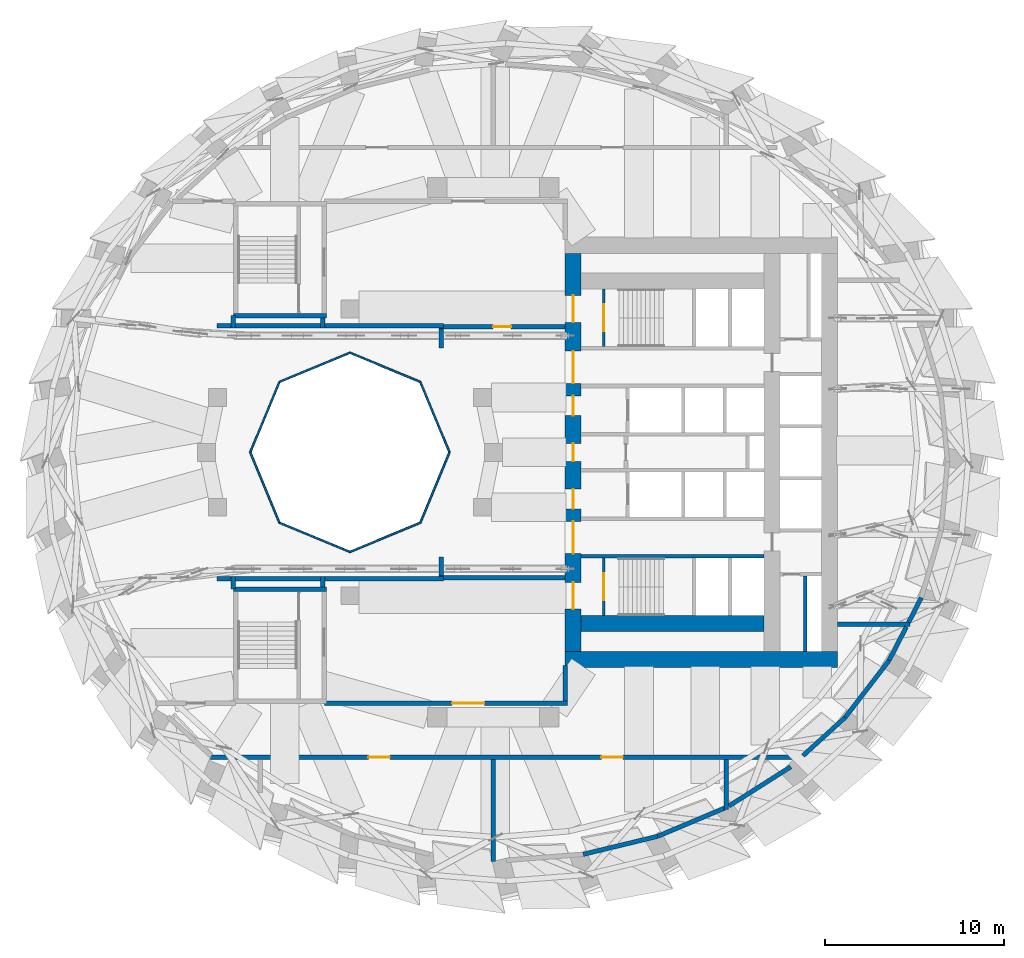
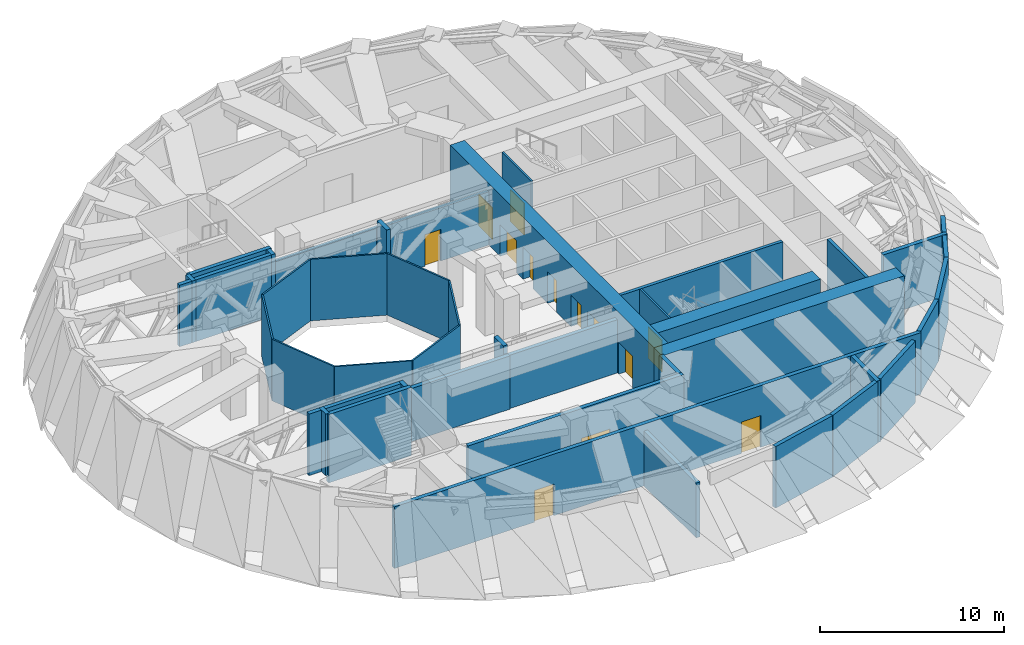
# One storey, part 7 of 14: 44 walls, 13 doors, 13 openings.
"""IFC4 building model written with IfcOpenShell, lengths in metres."""

import ifcopenshell
import ifcopenshell.guid

model = None  # the IFC model being written
_history = None  # IfcOwnerHistory: only IFC2X3 demands one
_inside = {}  # id of a spatial element -> (the spatial element, [elements in it])
_under = {}  # id of a project, library or spatial element -> (it, [spatial elements below it])
_declared = {}  # id of a project -> (the project, [libraries it declares])
_typed = {}  # id of a type object -> (the type object, [elements of that type])
_made_of = {}  # id of a material, layer set ... -> (it, [elements and type objects made of it])


def new_model(schema):
    """Start an empty IFC model of exactly this schema.

    Asked for "IFC4X3", IfcOpenShell would pick the latest addendum, in which some entities
    have other attributes; the version numbers below select the first issue.
    IFC2X3 requires an IfcOwnerHistory on every rooted entity: one is made here for all.
    """
    global model, _history
    if schema == "IFC4X3":
        model = ifcopenshell.file(schema_version=(4, 3, 0, 0))
    else:
        model = ifcopenshell.file(schema=schema)
    _inside.clear()
    _under.clear()
    _declared.clear()
    _typed.clear()
    _made_of.clear()
    _history = None
    if model.schema == "IFC2X3":
        org = make("IfcOrganization", Name="unknown")
        user = make(
            "IfcPersonAndOrganization",
            ThePerson=make("IfcPerson", FamilyName="unknown"),
            TheOrganization=org,
        )
        app = make(
            "IfcApplication",
            ApplicationDeveloper=org,
            Version="unknown",
            ApplicationFullName="unknown",
            ApplicationIdentifier="unknown",
        )
        _history = make(
            "IfcOwnerHistory",
            OwningUser=user,
            OwningApplication=app,
            ChangeAction="ADDED",
            CreationDate=0,
        )
    return model


def make(cls, **values):
    """One entity of the class cls with the attributes given. An attribute that is None is left unset."""
    return model.create_entity(
        cls, **{name: value for name, value in values.items() if value is not None}
    )


def rooted(cls, **values):
    """An entity with a GlobalId (a new one), such as an element, a storey or a relation."""
    return make(cls, GlobalId=ifcopenshell.guid.new(), OwnerHistory=_history, **values)


def si_unit(unit_type, name, prefix=None):
    """IfcSIUnit, for example si_unit("LENGTHUNIT", "METRE", prefix="MILLI")."""
    return make("IfcSIUnit", UnitType=unit_type, Prefix=prefix, Name=name)


def assignment(units):
    """IfcUnitAssignment: the units of a project."""
    return None if units is None else make("IfcUnitAssignment", Units=units)


def point(xyz):
    """IfcCartesianPoint."""
    return None if xyz is None else make("IfcCartesianPoint", Coordinates=xyz)


def direction(xyz):
    """IfcDirection."""
    return None if xyz is None else make("IfcDirection", DirectionRatios=xyz)


def frame(location, z_axis=None, x_axis=None):
    """IfcAxis2Placement3D, a coordinate frame: its origin and axes. An axis left out is left unset."""
    return make(
        "IfcAxis2Placement3D",
        Location=point(location),
        Axis=direction(z_axis),
        RefDirection=direction(x_axis),
    )


def frame_2d(location, x_axis=None):
    """IfcAxis2Placement2D, a coordinate frame in the plane: its origin and x axis."""
    return make(
        "IfcAxis2Placement2D", Location=point(location), RefDirection=direction(x_axis)
    )


def origin():
    """The frame at (0, 0, 0) with its axes left unset."""
    return frame((0.0, 0.0, 0.0))


def place(relative_to, where):
    """IfcLocalPlacement: puts the frame where relative to a parent placement (None: the world)."""
    return make(
        "IfcLocalPlacement", PlacementRelTo=relative_to, RelativePlacement=where
    )


def context(
    kind, dimensions, precision=None, world=None, true_north=None, identifier=None
):
    """IfcGeometricRepresentationContext, for example the 3D "Model" context."""
    return make(
        "IfcGeometricRepresentationContext",
        ContextIdentifier=identifier,
        ContextType=kind,
        CoordinateSpaceDimension=dimensions,
        Precision=precision,
        WorldCoordinateSystem=world,
        TrueNorth=true_north,
    )


def subcontext(parent, identifier, kind, view, scale=None):
    """IfcGeometricRepresentationSubContext, for example "Body" below "Model"."""
    return make(
        "IfcGeometricRepresentationSubContext",
        ContextIdentifier=identifier,
        ContextType=kind,
        ParentContext=parent,
        TargetScale=scale,
        TargetView=view,
    )


def project(units=None, contexts=None):
    """IfcProject with its units and contexts."""
    return rooted(
        "IfcProject",
        Name="project",
        RepresentationContexts=contexts,
        UnitsInContext=assignment(units),
    )


def spatial(cls, under=None, at=None, **own):
    """A site, building, storey or space (cls), placed at a placement, below another one or the project."""
    s = rooted(cls, ObjectPlacement=at, **own)
    if under is not None:
        _under.setdefault(under.id(), (under, []))[1].append(s)
    return s


def profile(cls, at=None, kind="AREA", **sizes):
    """A parametric profile (cls). Its sizes go by their IFC names, for example OverallWidth=200.0."""
    return make(cls, ProfileType=kind, Position=at, **sizes)


def rectangle(**sizes):
    """IfcRectangleProfileDef."""
    return profile("IfcRectangleProfileDef", **sizes)


def extrude(swept, where, along, depth):
    """IfcExtrudedAreaSolid: the profile swept, set in the frame where, extruded along a direction by depth."""
    return make(
        "IfcExtrudedAreaSolid",
        SweptArea=swept,
        Position=where,
        ExtrudedDirection=direction(along),
        Depth=depth,
    )


def shape(context_of_items, identifier, shape_type, items):
    """IfcShapeRepresentation: the items that make up one representation, for example the "Body"."""
    return make(
        "IfcShapeRepresentation",
        ContextOfItems=context_of_items,
        RepresentationIdentifier=identifier,
        RepresentationType=shape_type,
        Items=items,
    )


def material(Name=None, Category=None):
    """IfcMaterial."""
    return make("IfcMaterial", Name=Name, Category=Category)


def layer(
    of_material, thickness, ventilated=None, Name=None, Category=None, Priority=None
):
    """IfcMaterialLayer: one layer of a wall or slab, of a material (None: an air gap)."""
    return make(
        "IfcMaterialLayer",
        Material=of_material,
        LayerThickness=thickness,
        IsVentilated=ventilated,
        Name=Name,
        Category=Category,
        Priority=Priority,
    )


def layer_set(layers, Name=None):
    """IfcMaterialLayerSet."""
    return make("IfcMaterialLayerSet", MaterialLayers=layers, LayerSetName=Name)


def made_of(thing, what):
    """Note that an element or type object is made of a material, layer set ...; save() writes the relation."""
    if what is not None:
        _made_of.setdefault(what.id(), (what, []))[1].append(thing)
    return thing


def type_object(cls, material=None, **own):
    """A type object (cls), such as IfcWallType, which elements share."""
    return made_of(rooted(cls, **own), material)


def element(
    cls,
    number,
    at=None,
    inside=None,
    cuts=None,
    type_object=None,
    material=None,
    context=None,
    identifier="Body",
    shape_type=None,
    held_by="IfcProductDefinitionShape",
    body=None,
    shapes=None,
    **own,
):
    """One element of the class cls, such as IfcWall. Its Tag is "e" and its number.

    at: its placement. inside: the storey or other place that contains it. cuts: it is an
    opening in that element (IfcRelVoidsElement). A single representation is given by context,
    identifier, shape_type and body (its items); several are given by shapes. held_by: the class
    of the entity that holds the representations. save() writes the other relations.
    """
    e = rooted(cls, Tag="e%d" % number, ObjectPlacement=at, **own)
    if body is not None:
        shapes = [shape(context, identifier, shape_type, body)]
    if shapes is not None:
        e.Representation = make(held_by, Representations=shapes)
    if inside is not None:
        _inside.setdefault(inside.id(), (inside, []))[1].append(e)
    if cuts is not None:
        rooted(
            "IfcRelVoidsElement", RelatingBuildingElement=cuts, RelatedOpeningElement=e
        )
    if type_object is not None:
        _typed.setdefault(type_object.id(), (type_object, []))[1].append(e)
    return made_of(e, material)


def fill(opening, filler):
    """IfcRelFillsElement: the door or window that sits in an opening."""
    return rooted(
        "IfcRelFillsElement",
        RelatingOpeningElement=opening,
        RelatedBuildingElement=filler,
    )


def aggregate(whole, parts):
    """IfcRelAggregates: a whole, such as a stair, and the parts it consists of."""
    return rooted("IfcRelAggregates", RelatingObject=whole, RelatedObjects=parts)


def save(model, path):
    """Write the relations noted so far, then the file.

    IfcRelAggregates (storeys below a building ...), IfcRelContainedInSpatialStructure (elements
    in a storey), IfcRelDefinesByType, IfcRelAssociatesMaterial and IfcRelDeclares: one each for
    every whole, place, type object, material and project.
    """
    for whole, parts in _under.values():
        aggregate(whole, parts)
    for where, things in _inside.values():
        rooted(
            "IfcRelContainedInSpatialStructure",
            RelatedElements=things,
            RelatingStructure=where,
        )
    for kind, things in _typed.values():
        rooted("IfcRelDefinesByType", RelatedObjects=things, RelatingType=kind)
    for what, things in _made_of.values():
        rooted("IfcRelAssociatesMaterial", RelatedObjects=things, RelatingMaterial=what)
    for by, libraries in _declared.values():
        rooted("IfcRelDeclares", RelatingContext=by, RelatedDefinitions=libraries)
    model.write(path)


model = new_model("IFC4")

# Units and contexts
model_context = context("Model", 3, precision=1e-05, world=origin(), true_north=direction((0.0, 1.0)))
body_context = subcontext(model_context, "Body", "Model", "MODEL_VIEW")
ifc_project = project(units=[si_unit("LENGTHUNIT", "METRE"), si_unit("AREAUNIT", "SQUARE_METRE"), si_unit("VOLUMEUNIT", "CUBIC_METRE"), si_unit("PLANEANGLEUNIT", "RADIAN"), si_unit("MASSUNIT", "GRAM", prefix="KILO")], contexts=[model_context])

# Site, building, storey
site_placement = place(None, origin())
site = spatial("IfcSite", under=ifc_project, at=site_placement, CompositionType="ELEMENT")
building_placement = place(site_placement, origin())
building = spatial("IfcBuilding", under=site, at=building_placement, Name="Taillehof Tower", CompositionType="ELEMENT")
storey_placement = place(building_placement, frame((0.0, 0.0, 135.10009765625)))
storey = spatial("IfcBuildingStorey", under=building, at=storey_placement, Name="L38", CompositionType="ELEMENT", Elevation=135.10009765625)

# Walls
ifc_material_1 = material(Name="Fire-resisting glass in steel frame", Category="steel")
ifc_layer_1 = layer(ifc_material_1, 0.10009765625)
ifc_layer_set_1 = layer_set([ifc_layer_1], Name="Atrium fire-resisting screen EI 60 100")
wall_type_1 = type_object("IfcWallType", Name="Atrium fire-resisting screen EI 60 100", PredefinedType="PARTITIONING", material=ifc_layer_set_1)
for number, where, z_axis, x_axis, name in (
    (1, (-2.44580078125, 0.0, 0.0), (0.0, 0.0, 1.0), (-0.382730523909, -0.923860025149, 0.0), "Atrium screen"),
    (2, (-4.07275390625, -3.92724609375, 0.0), (0.0, 0.0, 1.0), (-0.923860025149, -0.382730523909, 0.0), "Atrium screen"),
    (3, (-8.0, -5.55419921875, 0.0), (0.0, 0.0, 1.0), (-0.923860025149, 0.382730523909, 0.0), "Atrium screen"),
    (4, (-11.92724609375, -3.92724609375, 0.0), (0.0, 0.0, 1.0), (-0.382730523909, 0.923860025149, 0.0), "Atrium screen"),
    (5, (-13.55419921875, 0.0, 0.0), (0.0, 0.0, 1.0), (0.382730523909, 0.923860025149, 0.0), "Atrium screen"),
    (6, (-11.92724609375, 3.92724609375, 0.0), (0.0, 0.0, 1.0), (0.923860025149, 0.382730523909, 0.0), "Atrium screen"),
    (7, (-8.0, 5.55419921875, 0.0), (0.0, 0.0, 1.0), (0.923860025149, -0.382730523909, 0.0), "Atrium screen"),
    (8, (-4.07275390625, 3.92724609375, 0.0), (0.0, 0.0, 1.0), (0.382730523909, -0.923860025149, 0.0), "Atrium screen"),
):
    element("IfcWall", number, at=place(storey_placement, frame(where, z_axis=z_axis, x_axis=x_axis)), inside=storey, type_object=wall_type_1, Name=name, PredefinedType="PARTITIONING", context=body_context, shape_type="SweptSolid", body=[
        extrude(rectangle(XDim=4.2509765625, YDim=0.10009765625, at=frame_2d((2.12548828125, 0.0))), origin(), (0.0, 0.0, 1.0), 4.08984375),
    ])
ifc_material_2 = material(Name="Calcium silicate masonry", Category="masonry")
ifc_layer_2 = layer(ifc_material_2, 0.199951171875)
ifc_layer_set_2 = layer_set([ifc_layer_2], Name="Compartment wall calcium silicate 200")
wall_type_2 = type_object("IfcWallType", Name="Compartment wall calcium silicate 200", PredefinedType="PARTITIONING", material=ifc_layer_set_2)
wall_1_placement = place(storey_placement, frame((17.39990234375, -11.10009765625, 0.0), z_axis=(0.0, 0.0, 1.0), x_axis=(0.0, 1.0, 0.0)))
element("IfcWall", 9, at=wall_1_placement, inside=storey, type_object=wall_type_2, Name="Compartment wall FW", PredefinedType="PARTITIONING", context=body_context, shape_type="SweptSolid", body=[
    extrude(rectangle(XDim=4.2001953125, YDim=0.199951171875, at=frame_2d((2.10009765625, 0.0))), origin(), (0.0, 0.0, 1.0), 4.08984375),
])

# Wall, openings, doors
ifc_material_3 = material(Name="Concrete C80/95", Category="concrete")
ifc_layer_3 = layer(ifc_material_3, 0.89990234375)
ifc_layer_set_3 = layer_set([ifc_layer_3], Name="Core wall C80/95 900")
wall_type_3 = type_object("IfcWallType", Name="Core wall C80/95 900", PredefinedType="SHEAR", material=ifc_layer_set_3)
wall_2_placement = place(storey_placement, frame((4.449951171875, -11.10009765625, 0.0), z_axis=(0.0, 0.0, 1.0), x_axis=(0.0, 1.0, 0.0)))
wall_2 = element("IfcWall", 10, at=wall_2_placement, inside=storey, type_object=wall_type_3, Name="Core wall CW01", PredefinedType="SHEAR", context=body_context, shape_type="SweptSolid", body=[
    extrude(rectangle(XDim=22.2001953125, YDim=0.89990234375, at=frame_2d((11.10009765625, 0.0))), origin(), (0.0, 0.0, 1.0), 4.08984375),
])
opening_1_placement = place(wall_2_placement, frame((2.35009765625, 0.0, 0.0)))
opening_1 = element("IfcOpeningElement", 11, at=opening_1_placement, cuts=wall_2, Name="Opening D3801", PredefinedType="OPENING", context=body_context, shape_type="SweptSolid", body=[
    extrude(rectangle(XDim=1.5, YDim=2.10009765625, at=frame_2d((0.75, 1.050048828125))), frame((0.0, 0.4599609375, 0.0), z_axis=(0.0, -1.0, 0.0), x_axis=(1.0, 0.0, 0.0)), (0.0, 0.0, 1.0), 0.919921875),
])
opening_2_placement = place(wall_2_placement, frame((5.449951171875, 0.0, 0.0)))
opening_2 = element("IfcOpeningElement", 12, at=opening_2_placement, cuts=wall_2, Name="Opening D3802", PredefinedType="OPENING", context=body_context, shape_type="SweptSolid", body=[
    extrude(rectangle(XDim=1.800048828125, YDim=2.10009765625, at=frame_2d((0.89990234375, 1.050048828125))), frame((0.0, 0.4599609375, 0.0), z_axis=(0.0, -1.0, 0.0), x_axis=(1.0, 0.0, 0.0)), (0.0, 0.0, 1.0), 0.919921875),
])
opening_3_placement = place(wall_2_placement, frame((7.949951171875, 0.0, 0.0)))
opening_3 = element("IfcOpeningElement", 13, at=opening_3_placement, cuts=wall_2, Name="Opening D3803", PredefinedType="OPENING", context=body_context, shape_type="SweptSolid", body=[
    extrude(rectangle(XDim=1.10009765625, YDim=2.10009765625, at=frame_2d((0.550048828125, 1.050048828125))), frame((0.0, 0.4599609375, 0.0), z_axis=(0.0, -1.0, 0.0), x_axis=(1.0, 0.0, 0.0)), (0.0, 0.0, 1.0), 0.919921875),
])
opening_4_placement = place(wall_2_placement, frame((10.60009765625, 0.0, 0.0)))
opening_4 = element("IfcOpeningElement", 14, at=opening_4_placement, cuts=wall_2, Name="Opening D3804", PredefinedType="OPENING", context=body_context, shape_type="SweptSolid", body=[
    extrude(rectangle(XDim=1.0, YDim=2.10009765625, at=frame_2d((0.5, 1.050048828125))), frame((0.0, 0.4599609375, 0.0), z_axis=(0.0, -1.0, 0.0), x_axis=(1.0, 0.0, 0.0)), (0.0, 0.0, 1.0), 0.919921875),
])
opening_5_placement = place(wall_2_placement, frame((13.14990234375, 0.0, 0.0)))
opening_5 = element("IfcOpeningElement", 15, at=opening_5_placement, cuts=wall_2, Name="Opening D3805", PredefinedType="OPENING", context=body_context, shape_type="SweptSolid", body=[
    extrude(rectangle(XDim=1.10009765625, YDim=2.10009765625, at=frame_2d((0.550048828125, 1.050048828125))), frame((0.0, 0.4599609375, 0.0), z_axis=(0.0, -1.0, 0.0), x_axis=(1.0, 0.0, 0.0)), (0.0, 0.0, 1.0), 0.919921875),
])
opening_6_placement = place(wall_2_placement, frame((14.949951171875, 0.0, 0.0)))
opening_6 = element("IfcOpeningElement", 16, at=opening_6_placement, cuts=wall_2, Name="Opening D3806", PredefinedType="OPENING", context=body_context, shape_type="SweptSolid", body=[
    extrude(rectangle(XDim=1.800048828125, YDim=2.10009765625, at=frame_2d((0.89990234375, 1.050048828125))), frame((0.0, 0.4599609375, 0.0), z_axis=(0.0, -1.0, 0.0), x_axis=(1.0, 0.0, 0.0)), (0.0, 0.0, 1.0), 0.919921875),
])
opening_7_placement = place(wall_2_placement, frame((18.35009765625, 0.0, 0.0)))
opening_7 = element("IfcOpeningElement", 17, at=opening_7_placement, cuts=wall_2, Name="Opening D3807", PredefinedType="OPENING", context=body_context, shape_type="SweptSolid", body=[
    extrude(rectangle(XDim=1.5, YDim=2.10009765625, at=frame_2d((0.75, 1.050048828125))), frame((0.0, 0.4599609375, 0.0), z_axis=(0.0, -1.0, 0.0), x_axis=(1.0, 0.0, 0.0)), (0.0, 0.0, 1.0), 0.919921875),
])
ifc_material_4 = material(Name="Steel-faced fire door", Category="steel")
door_type_1 = type_object("IfcDoorType", Name="Firefighting lobby door 1100x2100", OperationType="SINGLE_SWING_RIGHT", PredefinedType="DOOR", material=ifc_material_4)
door_1_placement = place(opening_3_placement, origin())
door_1 = element("IfcDoor", 18, at=door_1_placement, inside=storey, type_object=door_type_1, Name="Firefighting lobby door FFL-S", OperationType="SINGLE_SWING_RIGHT", OverallHeight=2.10009765625, OverallWidth=1.10009765625, PredefinedType="DOOR", context=body_context, shape_type="SweptSolid", body=[
    extrude(rectangle(XDim=1.10009765625, YDim=2.10009765625, at=frame_2d((0.550048828125, 1.050048828125))), frame((0.0, 0.02490234375, 0.0), z_axis=(0.0, -1.0, 0.0), x_axis=(1.0, 0.0, 0.0)), (0.0, 0.0, 1.0), 0.050048828125),
])
fill(opening_3, door_1)
door_2_placement = place(opening_5_placement, origin())
door_2 = element("IfcDoor", 19, at=door_2_placement, inside=storey, type_object=door_type_1, Name="Firefighting lobby door FFL-N", OperationType="SINGLE_SWING_LEFT", OverallHeight=2.10009765625, OverallWidth=1.10009765625, PredefinedType="DOOR", context=body_context, shape_type="SweptSolid", body=[
    extrude(rectangle(XDim=1.10009765625, YDim=2.10009765625, at=frame_2d((0.550048828125, 1.050048828125))), frame((0.0, 0.02490234375, 0.0), z_axis=(0.0, -1.0, 0.0), x_axis=(1.0, 0.0, 0.0)), (0.0, 0.0, 1.0), 0.050048828125),
])
fill(opening_5, door_2)
ifc_material_5 = material(Name="Steel-faced fire door", Category="steel")
door_type_2 = type_object("IfcDoorType", Name="Lift lobby door 1800x2100", OperationType="DOUBLE_DOOR_SINGLE_SWING", PredefinedType="DOOR", material=ifc_material_5)
door_3_placement = place(opening_2_placement, origin())
door_3 = element("IfcDoor", 20, at=door_3_placement, inside=storey, type_object=door_type_2, Name="Lift lobby door LL-S", OperationType="DOUBLE_DOOR_SINGLE_SWING", OverallHeight=2.10009765625, OverallWidth=1.800048828125, PredefinedType="DOOR", context=body_context, shape_type="SweptSolid", body=[
    extrude(rectangle(XDim=1.800048828125, YDim=2.10009765625, at=frame_2d((0.89990234375, 1.050048828125))), frame((0.0, 0.02490234375, 0.0), z_axis=(0.0, -1.0, 0.0), x_axis=(1.0, 0.0, 0.0)), (0.0, 0.0, 1.0), 0.050048828125),
])
fill(opening_2, door_3)
door_4_placement = place(opening_6_placement, origin())
door_4 = element("IfcDoor", 21, at=door_4_placement, inside=storey, type_object=door_type_2, Name="Lift lobby door LL-N", OperationType="DOUBLE_DOOR_SINGLE_SWING", OverallHeight=2.10009765625, OverallWidth=1.800048828125, PredefinedType="DOOR", context=body_context, shape_type="SweptSolid", body=[
    extrude(rectangle(XDim=1.800048828125, YDim=2.10009765625, at=frame_2d((0.89990234375, 1.050048828125))), frame((0.0, 0.02490234375, 0.0), z_axis=(0.0, -1.0, 0.0), x_axis=(1.0, 0.0, 0.0)), (0.0, 0.0, 1.0), 0.050048828125),
])
fill(opening_6, door_4)
ifc_material_6 = material(Name="Steel-faced fire door", Category="steel")
door_type_3 = type_object("IfcDoorType", Name="Service door 1000x2100", OperationType="SINGLE_SWING_RIGHT", PredefinedType="DOOR", material=ifc_material_6)
door_5_placement = place(opening_4_placement, origin())
door_5 = element("IfcDoor", 22, at=door_5_placement, inside=storey, type_object=door_type_3, Name="Service door SV", OperationType="SINGLE_SWING_RIGHT", OverallHeight=2.10009765625, OverallWidth=1.0, PredefinedType="DOOR", context=body_context, shape_type="SweptSolid", body=[
    extrude(rectangle(XDim=1.0, YDim=2.10009765625, at=frame_2d((0.5, 1.050048828125))), frame((0.0, 0.02490234375, 0.0), z_axis=(0.0, -1.0, 0.0), x_axis=(1.0, 0.0, 0.0)), (0.0, 0.0, 1.0), 0.050048828125),
])
fill(opening_4, door_5)
ifc_material_7 = material(Name="Steel-faced fire door", Category="steel")
door_type_4 = type_object("IfcDoorType", Name="Stair door 1500x2100", OperationType="DOUBLE_DOOR_SINGLE_SWING", PredefinedType="DOOR", material=ifc_material_7)
door_6_placement = place(opening_1_placement, origin())
door_6 = element("IfcDoor", 23, at=door_6_placement, inside=storey, type_object=door_type_4, Name="Stair door S2", OperationType="DOUBLE_DOOR_SINGLE_SWING", OverallHeight=2.10009765625, OverallWidth=1.5, PredefinedType="DOOR", context=body_context, shape_type="SweptSolid", body=[
    extrude(rectangle(XDim=1.5, YDim=2.10009765625, at=frame_2d((0.75, 1.050048828125))), frame((0.0, 0.02490234375, 0.0), z_axis=(0.0, -1.0, 0.0), x_axis=(1.0, 0.0, 0.0)), (0.0, 0.0, 1.0), 0.050048828125),
])
fill(opening_1, door_6)
door_7_placement = place(opening_7_placement, origin())
door_7 = element("IfcDoor", 24, at=door_7_placement, inside=storey, type_object=door_type_4, Name="Stair door S1", OperationType="DOUBLE_DOOR_SINGLE_SWING", OverallHeight=2.10009765625, OverallWidth=1.5, PredefinedType="DOOR", context=body_context, shape_type="SweptSolid", body=[
    extrude(rectangle(XDim=1.5, YDim=2.10009765625, at=frame_2d((0.75, 1.050048828125))), frame((0.0, 0.02490234375, 0.0), z_axis=(0.0, -1.0, 0.0), x_axis=(1.0, 0.0, 0.0)), (0.0, 0.0, 1.0), 0.050048828125),
])
fill(opening_7, door_7)

# Walls
wall_3_placement = place(storey_placement, frame((4.0, -11.550048828125, 0.0), z_axis=(0.0, 0.0, 1.0), x_axis=(1.0, 0.0, 0.0)))
element("IfcWall", 25, at=wall_3_placement, inside=storey, type_object=wall_type_3, Name="Core wall CW04", PredefinedType="SHEAR", context=body_context, shape_type="SweptSolid", body=[
    extrude(rectangle(XDim=15.199951171875, YDim=0.89990234375, at=frame_2d((7.60009765625, 0.0))), origin(), (0.0, 0.0, 1.0), 4.08984375),
])
wall_4_placement = place(storey_placement, frame((4.89990234375, -9.550048828125, 0.0), z_axis=(0.0, 0.0, 1.0), x_axis=(1.0, 0.0, 0.0)))
element("IfcWall", 26, at=wall_4_placement, inside=storey, type_object=wall_type_3, Name="Core wall CW07", PredefinedType="SHEAR", context=body_context, shape_type="SweptSolid", body=[
    extrude(rectangle(XDim=10.2001953125, YDim=0.89990234375, at=frame_2d((5.10009765625, 0.0))), origin(), (0.0, 0.0, 1.0), 4.08984375),
])
ifc_material_8 = material(Name="Calcium silicate blockwork", Category="masonry")
ifc_layer_4 = layer(ifc_material_8, 0.25)
ifc_layer_set_4 = layer_set([ifc_layer_4], Name="Fire-resisting wall EI 120 250 mm")
wall_type_4 = type_object("IfcWallType", Name="Fire-resisting wall EI 120 250 mm", PredefinedType="PARTITIONING", material=ifc_layer_set_4)
wall_5_placement = place(storey_placement, frame((17.266845703125, -16.921875, 0.0), z_axis=(0.0, 0.0, 1.0), x_axis=(0.740778701283, 0.671749146427, 0.0)))
element("IfcWall", 27, at=wall_5_placement, inside=storey, type_object=wall_type_4, Name="Wall TRB / L38-05", PredefinedType="PARTITIONING", context=body_context, shape_type="SweptSolid", body=[
    extrude(rectangle(XDim=3.17236328125, YDim=0.25, at=frame_2d((1.586181640625, 0.0))), origin(), (0.0, 0.0, 1.0), 4.08984375),
])
wall_6_placement = place(storey_placement, frame((19.616943359375, -14.790771484375, 0.0), z_axis=(0.0, 0.0, 1.0), x_axis=(0.610891694668, 0.791714176572, 0.0)))
element("IfcWall", 28, at=wall_6_placement, inside=storey, type_object=wall_type_4, Name="Wall TRB / L38-05", PredefinedType="PARTITIONING", context=body_context, shape_type="SweptSolid", body=[
    extrude(rectangle(XDim=4.01416015625, YDim=0.25, at=frame_2d((2.007080078125, 0.0))), origin(), (0.0, 0.0, 1.0), 4.08984375),
])
wall_7_placement = place(storey_placement, frame((22.069091796875, -11.61279296875, 0.0), z_axis=(0.0, 0.0, 1.0), x_axis=(0.456718109372, 0.889611470571, 0.0)))
element("IfcWall", 29, at=wall_7_placement, inside=storey, type_object=wall_type_4, Name="Wall TRB / L38-05", PredefinedType="PARTITIONING", context=body_context, shape_type="SweptSolid", body=[
    extrude(rectangle(XDim=2.11083984375, YDim=0.25, at=frame_2d((1.055419921875, 0.0))), origin(), (0.0, 0.0, 1.0), 4.08984375),
])
wall_8_placement = place(storey_placement, frame((5.010009765625, -22.420654296875, 0.0), z_axis=(0.0, 0.0, 1.0), x_axis=(0.971989685709, 0.235023511326, 0.0)))
element("IfcWall", 30, at=wall_8_placement, inside=storey, type_object=wall_type_4, Name="Wall TRB / L38-11", PredefinedType="PARTITIONING", context=body_context, shape_type="SweptSolid", body=[
    extrude(rectangle(XDim=4.27880859375, YDim=0.25, at=frame_2d((2.139404296875, 0.0))), origin(), (0.0, 0.0, 1.0), 4.08984375),
])
wall_9_placement = place(storey_placement, frame((9.1689453125, -21.4150390625, 0.0), z_axis=(0.0, 0.0, 1.0), x_axis=(0.921403350283, 0.38860759911, 0.0)))
element("IfcWall", 31, at=wall_9_placement, inside=storey, type_object=wall_type_4, Name="Wall TRB / L38-11", PredefinedType="PARTITIONING", context=body_context, shape_type="SweptSolid", body=[
    extrude(rectangle(XDim=4.04345703125, YDim=0.25, at=frame_2d((2.021728515625, 0.0))), origin(), (0.0, 0.0, 1.0), 4.08984375),
])
wall_10_placement = place(storey_placement, frame((13.138671875, -19.725830078125, 0.0), z_axis=(0.0, 0.0, 1.0), x_axis=(0.844455808406, 0.535625230595, 0.0)))
element("IfcWall", 32, at=wall_10_placement, inside=storey, type_object=wall_type_4, Name="Wall TRB / L38-12", PredefinedType="PARTITIONING", context=body_context, shape_type="SweptSolid", body=[
    extrude(rectangle(XDim=4.0830078125, YDim=0.25, at=frame_2d((2.04150390625, 0.0))), origin(), (0.0, 0.0, 1.0), 4.08984375),
])
wall_11_placement = place(storey_placement, frame((23.158203125, -9.491455078125, 0.0), z_axis=(0.0, 0.0, 1.0), x_axis=(0.456707574183, 0.889616879159, 0.0)))
element("IfcWall", 33, at=wall_11_placement, inside=storey, type_object=wall_type_4, Name="Wall TRB / TRE", PredefinedType="PARTITIONING", context=body_context, shape_type="SweptSolid", body=[
    extrude(rectangle(XDim=1.559326171875, YDim=0.25, at=frame_2d((0.77978515625, 0.0))), origin(), (0.0, 0.0, 1.0), 4.08984375),
])

# Wall, openings, doors
wall_12_placement = place(storey_placement, frame((-15.785888671875, -17.0, 0.0), z_axis=(0.0, 0.0, 1.0), x_axis=(1.0, 0.0, 0.0)))
wall_12 = element("IfcWall", 34, at=wall_12_placement, inside=storey, type_object=wall_type_4, Name="Wall L38-05 / L38-09", PredefinedType="PARTITIONING", context=body_context, shape_type="SweptSolid", body=[
    extrude(rectangle(XDim=33.091552734375, YDim=0.25, at=frame_2d((16.5458984375, 0.0))), origin(), (0.0, 0.0, 1.0), 4.08984375),
])
opening_8_placement = place(wall_12_placement, frame((8.810791015625, 0.0, 0.0)))
opening_8 = element("IfcOpeningElement", 35, at=opening_8_placement, cuts=wall_12, Name="Opening D3841", PredefinedType="OPENING", context=body_context, shape_type="SweptSolid", body=[
    extrude(rectangle(XDim=1.199951171875, YDim=2.10009765625, at=frame_2d((0.60009765625, 1.050048828125))), frame((0.0, 0.135009765625, 0.0), z_axis=(0.0, -1.0, 0.0), x_axis=(1.0, 0.0, 0.0)), (0.0, 0.0, 1.0), 0.27001953125),
])
opening_9_placement = place(wall_12_placement, frame((21.810791015625, 0.0, 0.0)))
opening_9 = element("IfcOpeningElement", 36, at=opening_9_placement, cuts=wall_12, Name="Opening D3842", PredefinedType="OPENING", context=body_context, shape_type="SweptSolid", body=[
    extrude(rectangle(XDim=1.199951171875, YDim=2.10009765625, at=frame_2d((0.60009765625, 1.050048828125))), frame((0.0, 0.135009765625, 0.0), z_axis=(0.0, -1.0, 0.0), x_axis=(1.0, 0.0, 0.0)), (0.0, 0.0, 1.0), 0.27001953125),
])
ifc_material_9 = material(Name="Hollow metal door set")
door_type_5 = type_object("IfcDoorType", Name="Single door 1200 x 2100 FD120S", OperationType="SINGLE_SWING_LEFT", PredefinedType="DOOR", material=ifc_material_9)
door_8_placement = place(opening_8_placement, origin())
door_8 = element("IfcDoor", 37, at=door_8_placement, inside=storey, type_object=door_type_5, Name="Door D3841", OperationType="SINGLE_SWING_RIGHT", OverallHeight=2.10009765625, OverallWidth=1.199951171875, PredefinedType="DOOR", context=body_context, shape_type="SweptSolid", body=[
    extrude(rectangle(XDim=1.199951171875, YDim=2.10009765625, at=frame_2d((0.60009765625, 1.050048828125))), frame((0.0, 0.02490234375, 0.0), z_axis=(0.0, -1.0, 0.0), x_axis=(1.0, 0.0, 0.0)), (0.0, 0.0, 1.0), 0.050048828125),
])
fill(opening_8, door_8)
door_9_placement = place(opening_9_placement, origin())
door_9 = element("IfcDoor", 38, at=door_9_placement, inside=storey, type_object=door_type_5, Name="Door D3842", OperationType="SINGLE_SWING_LEFT", OverallHeight=2.10009765625, OverallWidth=1.199951171875, PredefinedType="DOOR", context=body_context, shape_type="SweptSolid", body=[
    extrude(rectangle(XDim=1.199951171875, YDim=2.10009765625, at=frame_2d((0.60009765625, 1.050048828125))), frame((0.0, 0.02490234375, 0.0), z_axis=(0.0, -1.0, 0.0), x_axis=(1.0, 0.0, 0.0)), (0.0, 0.0, 1.0), 0.050048828125),
])
fill(opening_9, door_9)

# Wall, opening, door
wall_13_placement = place(storey_placement, frame((-9.425048828125, -14.0, 0.0), z_axis=(0.0, 0.0, 1.0), x_axis=(1.0, 0.0, 0.0)))
wall_13 = element("IfcWall", 39, at=wall_13_placement, inside=storey, type_object=wall_type_4, Name="Wall L38-02 / L38-05", PredefinedType="PARTITIONING", context=body_context, shape_type="SweptSolid", body=[
    extrude(rectangle(XDim=13.550048828125, YDim=0.25, at=frame_2d((6.77490234375, 0.0))), origin(), (0.0, 0.0, 1.0), 4.08984375),
])
opening_10_placement = place(wall_13_placement, frame((7.125, 0.0, 0.0)))
opening_10 = element("IfcOpeningElement", 40, at=opening_10_placement, cuts=wall_13, Name="Opening D3844", PredefinedType="OPENING", context=body_context, shape_type="SweptSolid", body=[
    extrude(rectangle(XDim=1.800048828125, YDim=2.10009765625, at=frame_2d((0.89990234375, 1.050048828125))), frame((0.0, 0.135009765625, 0.0), z_axis=(0.0, -1.0, 0.0), x_axis=(1.0, 0.0, 0.0)), (0.0, 0.0, 1.0), 0.27001953125),
])
ifc_material_10 = material(Name="Hollow metal door set")
door_type_6 = type_object("IfcDoorType", Name="Double door 1800 x 2100 FD120S", OperationType="DOUBLE_DOOR_SINGLE_SWING", PredefinedType="DOOR", material=ifc_material_10)
door_10_placement = place(opening_10_placement, origin())
door_10 = element("IfcDoor", 41, at=door_10_placement, inside=storey, type_object=door_type_6, Name="Door D3844", OperationType="DOUBLE_DOOR_SINGLE_SWING", OverallHeight=2.10009765625, OverallWidth=1.800048828125, PredefinedType="DOOR", context=body_context, shape_type="SweptSolid", body=[
    extrude(rectangle(XDim=1.800048828125, YDim=2.10009765625, at=frame_2d((0.89990234375, 1.050048828125))), frame((0.0, 0.02490234375, 0.0), z_axis=(0.0, -1.0, 0.0), x_axis=(1.0, 0.0, 0.0)), (0.0, 0.0, 1.0), 0.050048828125),
])
fill(opening_10, door_10)

# Walls
wall_14_placement = place(storey_placement, frame((19.197998046875, -9.60009765625, 0.0), z_axis=(0.0, 0.0, 1.0), x_axis=(1.0, 0.0, 0.0)))
element("IfcWall", 42, at=wall_14_placement, inside=storey, type_object=wall_type_4, Name="Wall TRE / L38-05", PredefinedType="PARTITIONING", context=body_context, shape_type="SweptSolid", body=[
    extrude(rectangle(XDim=4.029541015625, YDim=0.25, at=frame_2d((2.0146484375, 0.0))), origin(), (0.0, 0.0, 1.0), 4.08984375),
])
wall_15_placement = place(storey_placement, frame((-15.402099609375, -7.050048828125, 0.0), z_axis=(0.0, 0.0, 1.0), x_axis=(1.0, 0.0, 0.0)))
element("IfcWall", 43, at=wall_15_placement, inside=storey, type_object=wall_type_4, Name="Wall TROT6 / L38-14", PredefinedType="PARTITIONING", context=body_context, shape_type="SweptSolid", body=[
    extrude(rectangle(XDim=0.777099609375, YDim=0.25, at=frame_2d((0.388671875, 0.0))), origin(), (0.0, 0.0, 1.0), 4.08984375),
])
wall_16_placement = place(storey_placement, frame((-14.375, -7.050048828125, 0.0), z_axis=(0.0, 0.0, 1.0), x_axis=(1.0, 0.0, 0.0)))
element("IfcWall", 44, at=wall_16_placement, inside=storey, type_object=wall_type_4, Name="Wall TROT6 / L38-15", PredefinedType="PARTITIONING", context=body_context, shape_type="SweptSolid", body=[
    extrude(rectangle(XDim=4.75, YDim=0.25, at=frame_2d((2.375, 0.0))), origin(), (0.0, 0.0, 1.0), 4.08984375),
])
wall_17_placement = place(storey_placement, frame((-9.375, -7.050048828125, 0.0), z_axis=(0.0, 0.0, 1.0), x_axis=(1.0, 0.0, 0.0)))
element("IfcWall", 45, at=wall_17_placement, inside=storey, type_object=wall_type_4, Name="Wall TROT6 / L38-02", PredefinedType="PARTITIONING", context=body_context, shape_type="SweptSolid", body=[
    extrude(rectangle(XDim=6.60009765625, YDim=0.25, at=frame_2d((3.300048828125, 0.0))), origin(), (0.0, 0.0, 1.0), 3.539794921875),
])
wall_18_placement = place(storey_placement, frame((-3.02490234375, -7.0, 0.0), z_axis=(0.0, 0.0, 1.0), x_axis=(1.0, 0.0, 0.0)))
element("IfcWall", 46, at=wall_18_placement, inside=storey, type_object=wall_type_4, Name="Wall L38-02 / L38-03", PredefinedType="PARTITIONING", context=body_context, shape_type="SweptSolid", body=[
    extrude(rectangle(XDim=7.02685546875, YDim=0.25, at=frame_2d((3.513427734375, 0.0))), origin(), (0.0, 0.0, 1.0), 3.539794921875),
])

# Wall, opening, door
wall_19_placement = place(storey_placement, frame((-3.02490234375, 7.0, 0.0), z_axis=(0.0, 0.0, 1.0), x_axis=(1.0, 0.0, 0.0)))
wall_19 = element("IfcWall", 47, at=wall_19_placement, inside=storey, type_object=wall_type_4, Name="Wall L38-01 / L38-03", PredefinedType="PARTITIONING", context=body_context, shape_type="SweptSolid", body=[
    extrude(rectangle(XDim=7.02685546875, YDim=0.25, at=frame_2d((3.513427734375, 0.0))), origin(), (0.0, 0.0, 1.0), 3.539794921875),
])
opening_11_placement = place(wall_19_placement, frame((3.012939453125, 0.0, 0.0)))
opening_11 = element("IfcOpeningElement", 48, at=opening_11_placement, cuts=wall_19, Name="Opening D3845", PredefinedType="OPENING", context=body_context, shape_type="SweptSolid", body=[
    extrude(rectangle(XDim=1.0, YDim=2.10009765625, at=frame_2d((0.5, 1.050048828125))), frame((0.0, 0.135009765625, 0.0), z_axis=(0.0, -1.0, 0.0), x_axis=(1.0, 0.0, 0.0)), (0.0, 0.0, 1.0), 0.27001953125),
])
ifc_material_11 = material(Name="Hollow metal door set")
door_type_7 = type_object("IfcDoorType", Name="Single door 1000 x 2100 FD120S", OperationType="SINGLE_SWING_LEFT", PredefinedType="DOOR", material=ifc_material_11)
door_11_placement = place(opening_11_placement, origin())
door_11 = element("IfcDoor", 49, at=door_11_placement, inside=storey, type_object=door_type_7, Name="Door D3845", OperationType="SINGLE_SWING_RIGHT", OverallHeight=2.10009765625, OverallWidth=1.0, PredefinedType="DOOR", context=body_context, shape_type="SweptSolid", body=[
    extrude(rectangle(XDim=1.0, YDim=2.10009765625, at=frame_2d((0.5, 1.050048828125))), frame((0.0, 0.02490234375, 0.0), z_axis=(0.0, -1.0, 0.0), x_axis=(1.0, 0.0, 0.0)), (0.0, 0.0, 1.0), 0.050048828125),
])
fill(opening_11, door_11)

# Walls
wall_20_placement = place(storey_placement, frame((-15.402099609375, 7.050048828125, 0.0), z_axis=(0.0, 0.0, 1.0), x_axis=(1.0, 0.0, 0.0)))
element("IfcWall", 50, at=wall_20_placement, inside=storey, type_object=wall_type_4, Name="Wall TROT5 / L38-13", PredefinedType="PARTITIONING", context=body_context, shape_type="SweptSolid", body=[
    extrude(rectangle(XDim=0.777099609375, YDim=0.25, at=frame_2d((0.388671875, 0.0))), origin(), (0.0, 0.0, 1.0), 4.08984375),
])
wall_21_placement = place(storey_placement, frame((-14.375, 7.050048828125, 0.0), z_axis=(0.0, 0.0, 1.0), x_axis=(1.0, 0.0, 0.0)))
element("IfcWall", 51, at=wall_21_placement, inside=storey, type_object=wall_type_4, Name="Wall TROT5 / L38-16", PredefinedType="PARTITIONING", context=body_context, shape_type="SweptSolid", body=[
    extrude(rectangle(XDim=4.75, YDim=0.25, at=frame_2d((2.375, 0.0))), origin(), (0.0, 0.0, 1.0), 4.08984375),
])
wall_22_placement = place(storey_placement, frame((-9.375, 7.050048828125, 0.0), z_axis=(0.0, 0.0, 1.0), x_axis=(1.0, 0.0, 0.0)))
element("IfcWall", 52, at=wall_22_placement, inside=storey, type_object=wall_type_4, Name="Wall TROT5 / L38-01", PredefinedType="PARTITIONING", context=body_context, shape_type="SweptSolid", body=[
    extrude(rectangle(XDim=6.60009765625, YDim=0.25, at=frame_2d((3.300048828125, 0.0))), origin(), (0.0, 0.0, 1.0), 3.539794921875),
])
for number, where, z_axis, x_axis, name in (
    (53, (-14.5, -7.625, 0.0), (0.0, 0.0, 1.0), (0.0, 1.0, 0.0), "Wall L38-14 / L38-15"),
    (54, (-14.5, 6.925048828125, 0.0), (0.0, 0.0, 1.0), (0.0, 1.0, 0.0), "Wall L38-13 / L38-16"),
):
    element("IfcWall", number, at=place(storey_placement, frame(where, z_axis=z_axis, x_axis=x_axis)), inside=storey, type_object=wall_type_4, Name=name, PredefinedType="PARTITIONING", context=body_context, shape_type="SweptSolid", body=[
        extrude(rectangle(XDim=0.699951171875, YDim=0.25, at=frame_2d((0.35009765625, 0.0))), origin(), (0.0, 0.0, 1.0), 4.08984375),
    ])
for number, where, z_axis, x_axis, name in (
    (55, (-9.5, -7.501953125, 0.0), (0.0, 0.0, 1.0), (0.0, 1.0, 0.0), "Wall L38-02 / L38-15"),
    (56, (-9.5, 6.925048828125, 0.0), (0.0, 0.0, 1.0), (0.0, 1.0, 0.0), "Wall L38-01 / L38-16"),
):
    element("IfcWall", number, at=place(storey_placement, frame(where, z_axis=z_axis, x_axis=x_axis)), inside=storey, type_object=wall_type_4, Name=name, PredefinedType="PARTITIONING", context=body_context, shape_type="SweptSolid", body=[
        extrude(rectangle(XDim=0.576904296875, YDim=0.25, at=frame_2d((0.28857421875, 0.0))), origin(), (0.0, 0.0, 1.0), 4.08984375),
    ])
for number, where, z_axis, x_axis, name in (
    (57, (-2.89990234375, -6.875, 0.0), (0.0, 0.0, 1.0), (0.0, 1.0, 0.0), "Wall TROT6 / L38-03"),
    (58, (-2.89990234375, 5.824951171875, 0.0), (0.0, 0.0, 1.0), (0.0, 1.0, 0.0), "Wall TROT5 / L38-03"),
):
    element("IfcWall", number, at=place(storey_placement, frame(where, z_axis=z_axis, x_axis=x_axis)), inside=storey, type_object=wall_type_4, Name=name, PredefinedType="PARTITIONING", context=body_context, shape_type="SweptSolid", body=[
        extrude(rectangle(XDim=1.050048828125, YDim=0.25, at=frame_2d((0.52490234375, 0.0))), origin(), (0.0, 0.0, 1.0), 4.08984375),
    ])
wall_23_placement = place(storey_placement, frame((0.0, -22.821044921875, 0.0), z_axis=(0.0, 0.0, 1.0), x_axis=(0.0, 1.0, 0.0)))
element("IfcWall", 59, at=wall_23_placement, inside=storey, type_object=wall_type_4, Name="Wall L38-10 / L38-11", PredefinedType="PARTITIONING", context=body_context, shape_type="SweptSolid", body=[
    extrude(rectangle(XDim=5.696044921875, YDim=0.25, at=frame_2d((2.84814453125, 0.0))), origin(), (0.0, 0.0, 1.0), 3.639892578125),
])
wall_24_placement = place(storey_placement, frame((4.0, -13.875, 0.0), z_axis=(0.0, 0.0, 1.0), x_axis=(0.0, 1.0, 0.0)))
element("IfcWall", 60, at=wall_24_placement, inside=storey, type_object=wall_type_4, Name="Wall L38-02 / L38-05", PredefinedType="PARTITIONING", context=body_context, shape_type="SweptSolid", body=[
    extrude(rectangle(XDim=2.0, YDim=0.25, at=frame_2d((1.0, 0.0))), origin(), (0.0, 0.0, 1.0), 4.08984375),
])
wall_25_placement = place(storey_placement, frame((13.0, -19.92431640625, 0.0), z_axis=(0.0, 0.0, 1.0), x_axis=(0.0, 1.0, 0.0)))
element("IfcWall", 61, at=wall_25_placement, inside=storey, type_object=wall_type_4, Name="Wall L38-11 / L38-12", PredefinedType="PARTITIONING", context=body_context, shape_type="SweptSolid", body=[
    extrude(rectangle(XDim=2.79931640625, YDim=0.25, at=frame_2d((1.399658203125, 0.0))), origin(), (0.0, 0.0, 1.0), 4.08984375),
])
ifc_material_12 = material(Name="Concrete C50/60", Category="concrete")
ifc_layer_5 = layer(ifc_material_12, 0.199951171875)
ifc_layer_set_5 = layer_set([ifc_layer_5], Name="Shaft wall C50/60 200")
wall_type_5 = type_object("IfcWallType", Name="Shaft wall C50/60 200", PredefinedType="SHEAR", material=ifc_layer_set_5)
wall_26_placement = place(storey_placement, frame((4.89990234375, -5.800048828125, 0.0), z_axis=(0.0, 0.0, 1.0), x_axis=(1.0, 0.0, 0.0)))
element("IfcWall", 62, at=wall_26_placement, inside=storey, type_object=wall_type_5, Name="Shaft wall SW", PredefinedType="SHEAR", context=body_context, shape_type="SweptSolid", body=[
    extrude(rectangle(XDim=10.2001953125, YDim=0.199951171875, at=frame_2d((5.10009765625, 0.0))), origin(), (0.0, 0.0, 1.0), 4.08984375),
])

# Wall, opening, door
ifc_material_13 = material(Name="Concrete C50/60", Category="concrete")
ifc_layer_6 = layer(ifc_material_13, 0.1201171875)
ifc_layer_set_6 = layer_set([ifc_layer_6], Name="Stair lobby wall C50/60 120")
wall_type_6 = type_object("IfcWallType", Name="Stair lobby wall C50/60 120", PredefinedType="SHEAR", material=ifc_layer_set_6)
wall_27_placement = place(storey_placement, frame((6.159912109375, 5.89990234375, 0.0), z_axis=(0.0, 0.0, 1.0), x_axis=(0.0, 1.0, 0.0)))
wall_27 = element("IfcWall", 63, at=wall_27_placement, inside=storey, type_object=wall_type_6, Name="Compartment wall SW", PredefinedType="SHEAR", context=body_context, shape_type="SweptSolid", body=[
    extrude(rectangle(XDim=3.2001953125, YDim=0.1201171875, at=frame_2d((1.60009765625, 0.0))), origin(), (0.0, 0.0, 1.0), 4.08984375),
])
opening_12_placement = place(wall_27_placement, frame((0.85009765625, 0.0, 0.0)))
opening_12 = element("IfcOpeningElement", 64, at=opening_12_placement, cuts=wall_27, Name="Opening D3808", PredefinedType="OPENING", context=body_context, shape_type="SweptSolid", body=[
    extrude(rectangle(XDim=1.5, YDim=2.10009765625, at=frame_2d((0.75, 1.050048828125))), frame((0.0, 0.070068359375, 0.0), z_axis=(0.0, -1.0, 0.0), x_axis=(1.0, 0.0, 0.0)), (0.0, 0.0, 1.0), 0.14013671875),
])
door_12_placement = place(opening_12_placement, origin())
door_12 = element("IfcDoor", 65, at=door_12_placement, inside=storey, type_object=door_type_4, Name="Stair lobby door S1", OperationType="DOUBLE_DOOR_SINGLE_SWING", OverallHeight=2.10009765625, OverallWidth=1.5, PredefinedType="DOOR", context=body_context, shape_type="SweptSolid", body=[
    extrude(rectangle(XDim=1.5, YDim=2.10009765625, at=frame_2d((0.75, 1.050048828125))), frame((0.0, 0.02490234375, 0.0), z_axis=(0.0, -1.0, 0.0), x_axis=(1.0, 0.0, 0.0)), (0.0, 0.0, 1.0), 0.050048828125),
])
fill(opening_12, door_12)

wall_28_placement = place(storey_placement, frame((6.159912109375, -9.10009765625, 0.0), z_axis=(0.0, 0.0, 1.0), x_axis=(0.0, 1.0, 0.0)))
wall_28 = element("IfcWall", 66, at=wall_28_placement, inside=storey, type_object=wall_type_6, Name="Compartment wall SW", PredefinedType="SHEAR", context=body_context, shape_type="SweptSolid", body=[
    extrude(rectangle(XDim=3.2001953125, YDim=0.1201171875, at=frame_2d((1.60009765625, 0.0))), origin(), (0.0, 0.0, 1.0), 4.08984375),
])
opening_13_placement = place(wall_28_placement, frame((0.85009765625, 0.0, 0.0)))
opening_13 = element("IfcOpeningElement", 67, at=opening_13_placement, cuts=wall_28, Name="Opening D3809", PredefinedType="OPENING", context=body_context, shape_type="SweptSolid", body=[
    extrude(rectangle(XDim=1.5, YDim=2.10009765625, at=frame_2d((0.75, 1.050048828125))), frame((0.0, 0.070068359375, 0.0), z_axis=(0.0, -1.0, 0.0), x_axis=(1.0, 0.0, 0.0)), (0.0, 0.0, 1.0), 0.14013671875),
])
door_13_placement = place(opening_13_placement, origin())
door_13 = element("IfcDoor", 68, at=door_13_placement, inside=storey, type_object=door_type_4, Name="Stair lobby door S2", OperationType="DOUBLE_DOOR_SINGLE_SWING", OverallHeight=2.10009765625, OverallWidth=1.5, PredefinedType="DOOR", context=body_context, shape_type="SweptSolid", body=[
    extrude(rectangle(XDim=1.5, YDim=2.10009765625, at=frame_2d((0.75, 1.050048828125))), frame((0.0, 0.02490234375, 0.0), z_axis=(0.0, -1.0, 0.0), x_axis=(1.0, 0.0, 0.0)), (0.0, 0.0, 1.0), 0.050048828125),
])
fill(opening_13, door_13)

# Walls
ifc_material_14 = material(Name="Concrete C50/60", Category="concrete")
ifc_layer_7 = layer(ifc_material_14, 0.25)
ifc_layer_set_7 = layer_set([ifc_layer_7], Name="Stair wall C50/60 250")
wall_type_7 = type_object("IfcWallType", Name="Stair wall C50/60 250", PredefinedType="SHEAR", material=ifc_layer_set_7)
for number, where, z_axis, x_axis, name in (
    (69, (-14.5, 7.625, -0.4501953125), (0.0, 0.0, 1.0), (1.0, 0.0, 0.0), "Stair wall SC"),
    (70, (-14.5, -7.625, -0.4501953125), (0.0, 0.0, 1.0), (1.0, 0.0, 0.0), "Stair wall SC"),
):
    element("IfcWall", number, at=place(storey_placement, frame(where, z_axis=z_axis, x_axis=x_axis)), inside=storey, type_object=wall_type_7, Name=name, PredefinedType="SHEAR", context=body_context, shape_type="SweptSolid", body=[
        extrude(rectangle(XDim=5.199951171875, YDim=0.25, at=frame_2d((2.60009765625, 0.0))), origin(), (0.0, 0.0, 1.0), 4.5400390625),
    ])

save(model, "model.ifc")
